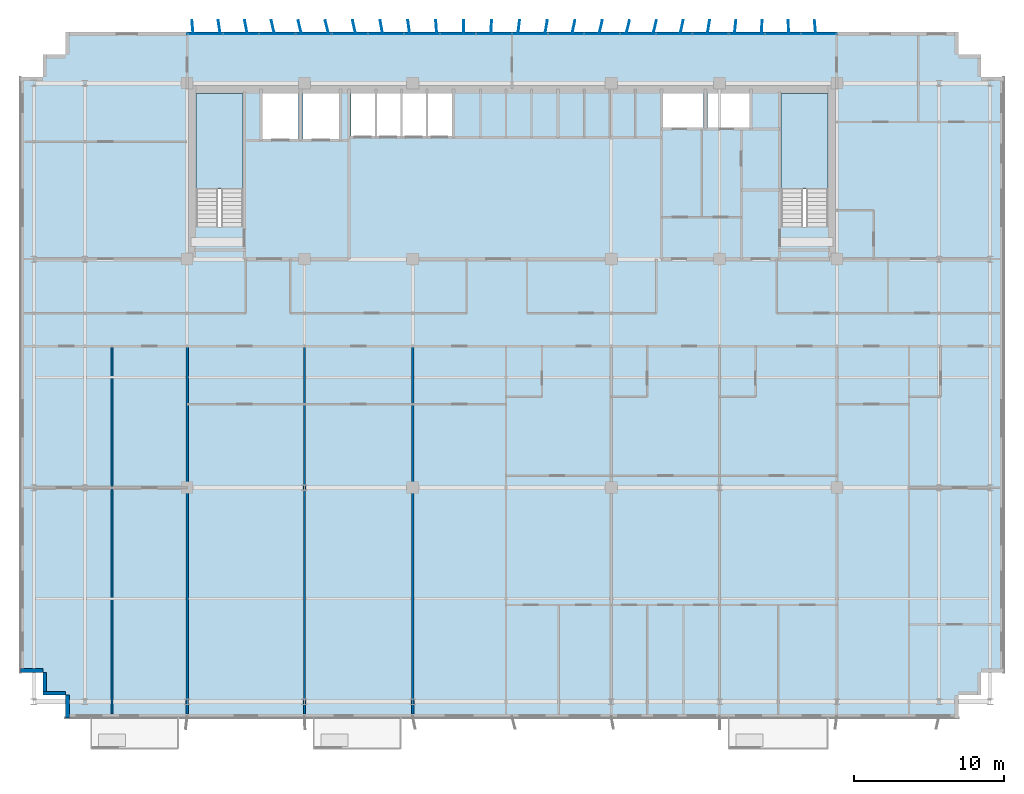
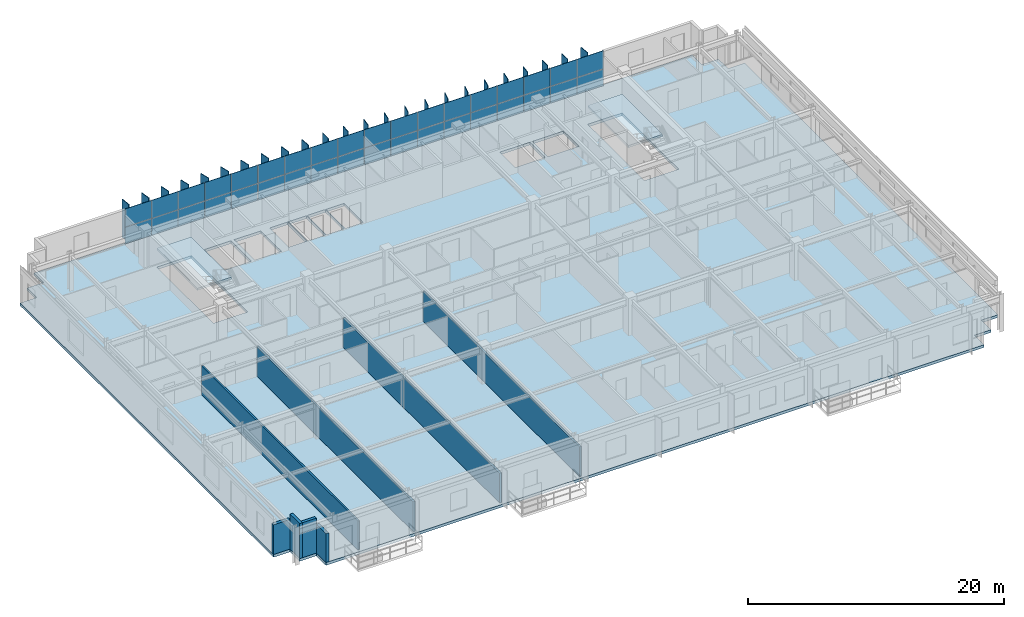
# One storey, part 13 of 22: 60 plates, 8 walls, 3 slabs, 3 elements without a shape of their own.
"""IFC4 building model written with IfcOpenShell, lengths in metres."""

from ifc_helpers import new_model, si_unit, direction, frame, frame_2d, origin, origin_2d, place, context, subcontext, project, spatial, polyline, rectangle, outline, extrude, source, transform, mapped, material, layer, layer_set, type_object, element, aggregate, save


model = new_model("IFC4")

# Units and contexts
model_context = context("Model", 3, precision=1e-05, world=origin(), true_north=direction((0.0, 1.0)))
body_context = subcontext(model_context, "Body", "Model", "MODEL_VIEW")
ifc_project = project(units=[si_unit("LENGTHUNIT", "METRE"), si_unit("AREAUNIT", "SQUARE_METRE"), si_unit("VOLUMEUNIT", "CUBIC_METRE"), si_unit("PLANEANGLEUNIT", "RADIAN"), si_unit("MASSUNIT", "GRAM", prefix="KILO")], contexts=[model_context])

# Site, building, storey
site_placement = place(None, origin())
site = spatial("IfcSite", under=ifc_project, at=site_placement, CompositionType="ELEMENT")
building_placement = place(site_placement, origin())
building = spatial("IfcBuilding", under=site, at=building_placement, Name="Trelvane Seafront Commons", CompositionType="ELEMENT")
storey_placement = place(building_placement, frame((0.0, 0.0, 85.300048828125)))
storey = spatial("IfcBuildingStorey", under=building, at=storey_placement, Name="L21", CompositionType="ELEMENT", Elevation=85.300048828125)

# Stair, slab
ifc_material_1 = material(Name="Concrete C40/50", Category="concrete")
stair_type_1 = type_object("IfcStairType", Name="ARCH-STR-ST-1-R20-180", PredefinedType="HALF_TURN_STAIR", material=ifc_material_1)
stair_1_placement = place(storey_placement, origin())
stair_1 = element("IfcStair", 1, at=stair_1_placement, inside=storey, type_object=stair_type_1, Name="L21 West Protected Firefighting Exit Stair ST-1", PredefinedType="HALF_TURN_STAIR")
ifc_layer_1 = layer(ifc_material_1, 0.199951171875, Name="ARCH-LND-200")
ifc_layer_set_1 = layer_set([ifc_layer_1], Name="Concrete C40/50")
slab_type_1 = type_object("IfcSlabType", Name="ARCH-LND-200", PredefinedType="LANDING", material=ifc_layer_set_1)
slab_1_placement = place(storey_placement, frame((0.0, 0.0, 1.599853515625)))
slab_1 = element("IfcSlab", 2, at=slab_1_placement, type_object=slab_type_1, Name="ST-1 landing 1", PredefinedType="LANDING", context=body_context, shape_type="SweptSolid", body=[
    extrude(outline(polyline([(19.300048828125, 38.070068359375), (19.300048828125, 44.39990234375), (16.199951171875, 44.39990234375), (16.199951171875, 38.070068359375), (19.300048828125, 38.070068359375)])), origin(), (0.0, 0.0, 1.0), 0.2001953125),
])
aggregate(stair_1, [slab_1])

stair_type_2 = type_object("IfcStairType", Name="ARCH-STR-ST-2-R20-180", PredefinedType="HALF_TURN_STAIR", material=ifc_material_1)
stair_2_placement = place(storey_placement, origin())
stair_2 = element("IfcStair", 3, at=stair_2_placement, inside=storey, type_object=stair_type_2, Name="L21 East Protected Firefighting Exit Stair ST-2", PredefinedType="HALF_TURN_STAIR")
slab_2_placement = place(storey_placement, frame((0.0, 0.0, 1.599853515625)))
slab_2 = element("IfcSlab", 4, at=slab_2_placement, type_object=slab_type_1, Name="ST-2 landing 1", PredefinedType="LANDING", context=body_context, shape_type="SweptSolid", body=[
    extrude(outline(polyline([(58.199951171875, 38.070068359375), (58.199951171875, 44.39990234375), (55.10009765625, 44.39990234375), (55.10009765625, 38.070068359375), (58.199951171875, 38.070068359375)])), origin(), (0.0, 0.0, 1.0), 0.2001953125),
])
aggregate(stair_2, [slab_2])

# Slab
ifc_material_2 = material(Name="Concrete C50/60", Category="concrete")
ifc_layer_2 = layer(ifc_material_2, 0.260009765625, Name="STR-SLB-Z1-260")
ifc_layer_set_2 = layer_set([ifc_layer_2], Name="Concrete C50/60")
slab_type_2 = type_object("IfcSlabType", Name="STR-SLB-Z1-260", PredefinedType="FLOOR", material=ifc_layer_set_2)
slab_3_placement = place(storey_placement, frame((0.0, 0.0, -0.260009765625)))
element("IfcSlab", 5, at=slab_3_placement, inside=storey, type_object=slab_type_2, Name="L21 Structural Floor Slab", PredefinedType="FLOOR", context=body_context, shape_type="SweptSolid", body=[
    extrude(outline(polyline([(7.5, 2.89990234375), (66.89990234375, 2.89990234375), (66.89990234375, 4.39990234375), (68.39990234375, 4.39990234375), (68.39990234375, 5.89990234375), (69.89990234375, 5.89990234375), (69.89990234375, 45.5), (68.39990234375, 45.5), (68.39990234375, 47.0), (66.89990234375, 47.0), (66.89990234375, 48.5), (7.5, 48.5), (7.5, 47.0), (6.0, 47.0), (6.0, 45.5), (4.5, 45.5), (4.5, 5.89990234375), (6.0, 5.89990234375), (6.0, 4.39990234375), (7.5, 4.39990234375), (7.5, 2.89990234375)]), holes=[polyline([(19.300048828125, 35.550048828125), (16.199951171875, 35.550048828125), (16.199951171875, 44.39990234375), (19.300048828125, 44.39990234375), (19.300048828125, 35.550048828125)]), polyline([(58.199951171875, 35.550048828125), (55.10009765625, 35.550048828125), (55.10009765625, 44.39990234375), (58.199951171875, 44.39990234375), (58.199951171875, 35.550048828125)]), polyline([(23.0, 41.39990234375), (20.60009765625, 41.39990234375), (20.60009765625, 44.60009765625), (23.0, 44.60009765625), (23.0, 41.39990234375)]), polyline([(23.300048828125, 41.39990234375), (23.300048828125, 44.60009765625), (25.699951171875, 44.60009765625), (25.699951171875, 41.39990234375), (23.300048828125, 41.39990234375)]), polyline([(26.5, 41.60009765625), (26.5, 44.60009765625), (28.1201171875, 44.60009765625), (28.1201171875, 41.60009765625), (26.5, 41.60009765625)]), polyline([(29.820068359375, 41.60009765625), (28.199951171875, 41.60009765625), (28.199951171875, 44.60009765625), (29.820068359375, 44.60009765625), (29.820068359375, 41.60009765625)]), polyline([(31.52001953125, 41.60009765625), (29.89990234375, 41.60009765625), (29.89990234375, 44.60009765625), (31.52001953125, 44.60009765625), (31.52001953125, 41.60009765625)]), polyline([(33.219970703125, 41.60009765625), (31.60009765625, 41.60009765625), (31.60009765625, 44.60009765625), (33.219970703125, 44.60009765625), (33.219970703125, 41.60009765625)]), polyline([(47.25, 42.14990234375), (47.25, 44.550048828125), (49.949951171875, 44.550048828125), (49.949951171875, 42.14990234375), (47.25, 42.14990234375)]), polyline([(50.199951171875, 42.14990234375), (50.199951171875, 44.550048828125), (53.0, 44.550048828125), (53.0, 42.14990234375), (50.199951171875, 42.14990234375)])]), origin(), (0.0, 0.0, 1.0), 0.260009765625),
])

# Plates
ifc_material_3 = material(Name="Anodised pale-silver aluminium", Category="aluminium")
ifc_layer_3 = layer(ifc_material_3, 0.06005859375, Name="ARCH-PLATE-FIN900")
ifc_layer_set_3 = layer_set([ifc_layer_3], Name="Anodised pale-silver aluminium")
plate_type_1 = type_object("IfcPlateType", Name="ARCH-PLATE-FIN900", PredefinedType="USERDEFINED", material=ifc_layer_set_3)
shared_shape_1 = source(origin(), body_context, "Body", "SweptSolid", [
    extrude(rectangle(XDim=0.89990234375, YDim=0.06005859375, at=origin_2d()), origin(), (0.0, 0.0, 1.0), 3.639892578125),
])
for number, where, z_axis, x_axis, name in (
    (6, (15.95947265625, 48.84814453125, -0.02001953125), (0.0, 0.0, 1.0), (-0.090114600403, 0.995931402655, 0.0), "FIN-L21-00487"),
    (7, (17.733642578125, 48.84521484375, -0.02001953125), (0.0, 0.0, 1.0), (-0.147671317024, 0.989036491808, 0.0), "FIN-L21-00488"),
    (8, (19.5126953125, 48.84130859375, -0.02001953125), (0.0, 0.0, 1.0), (-0.193893633656, 0.981022557757, 0.0), "FIN-L21-00489"),
    (9, (21.298583984375, 48.83837890625, -0.02001953125), (0.0, 0.0, 1.0), (-0.225558123616, 0.974229712579, 0.0), "FIN-L21-00490"),
    (10, (23.091796875, 48.836669921875, -0.02001953125), (0.0, 0.0, 1.0), (-0.240783707201, 0.970578799659, 0.0), "FIN-L21-00491"),
    (11, (24.892578125, 48.8369140625, -0.02001953125), (0.0, 0.0, 1.0), (-0.238324973349, 0.97118546482, 0.0), "FIN-L21-00492"),
    (12, (26.70166015625, 48.839111328125, -0.02001953125), (0.0, 0.0, 1.0), (-0.218565638374, 0.97582224904, 0.0), "FIN-L21-00493"),
    (13, (28.517822265625, 48.84228515625, -0.02001953125), (0.0, 0.0, 1.0), (-0.182657670156, 0.983176573934, 0.0), "FIN-L21-00494"),
    (14, (30.340087890625, 48.845947265625, -0.02001953125), (0.0, 0.0, 1.0), (-0.133000251857, 0.991116003809, 0.0), "FIN-L21-00495"),
    (15, (32.1669921875, 48.848876953125, -0.02001953125), (0.0, 0.0, 1.0), (-0.073220790695, 0.99731575532, 0.0), "FIN-L21-00496"),
    (16, (33.99658203125, 48.85009765625, -0.02001953125), (0.0, 0.0, 1.0), (-0.007667156283, 0.999970606925, 0.0), "FIN-L21-00497"),
    (17, (35.826416015625, 48.84912109375, -0.02001953125), (0.0, 0.0, 1.0), (0.058442191904, 0.998290794411, 0.0), "FIN-L21-00498"),
    (18, (37.654052734375, 48.8466796875, -0.02001953125), (0.0, 0.0, 1.0), (0.120109115773, 0.992760696396, 0.0), "FIN-L21-00499"),
    (19, (39.4775390625, 48.84326171875, -0.02001953125), (0.0, 0.0, 1.0), (0.17244831709, 0.985018567304, 0.0), "FIN-L21-00500"),
    (20, (41.29541015625, 48.83984375, -0.02001953125), (0.0, 0.0, 1.0), (0.211667671868, 0.977341699042, 0.0), "FIN-L21-00501"),
    (21, (43.10595703125, 48.83740234375, -0.02001953125), (0.0, 0.0, 1.0), (0.23533888975, 0.971913374211, 0.0), "FIN-L21-00502"),
    (22, (44.90869140625, 48.836669921875, -0.02001953125), (0.0, 0.0, 1.0), (0.241777946669, 0.970331605434, 0.0), "FIN-L21-00503"),
    (23, (46.70361328125, 48.837890625, -0.02001953125), (0.0, 0.0, 1.0), (0.230569450726, 0.973055871156, 0.0), "FIN-L21-00504"),
    (24, (48.4912109375, 48.840576171875, -0.02001953125), (0.0, 0.0, 1.0), (0.202565111531, 0.979268796394, 0.0), "FIN-L21-00505"),
    (25, (50.271728515625, 48.84423828125, -0.02001953125), (0.0, 0.0, 1.0), (0.159441838033, 0.987207323861, 0.0), "FIN-L21-00506"),
    (26, (52.046875, 48.847412109375, -0.02001953125), (0.0, 0.0, 1.0), (0.104111869752, 0.994565592898, 0.0), "FIN-L21-00507"),
    (27, (53.818359375, 48.849609375, -0.02001953125), (0.0, 0.0, 1.0), (0.040890387488, 0.999163638355, 0.0), "FIN-L21-00508"),
    (28, (55.58837890625, 48.849853515625, -0.02001953125), (0.0, 0.0, 1.0), (-0.025667483428, 0.999670535874, 0.0), "FIN-L21-00509"),
    (29, (57.359375, 48.84814453125, -0.02001953125), (0.0, 0.0, 1.0), (-0.090114600403, 0.995931402655, 0.0), "FIN-L21-00510"),
):
    element("IfcPlate", number, at=place(storey_placement, frame(where, z_axis=z_axis, x_axis=x_axis)), inside=storey, type_object=plate_type_1, Name=name, ObjectType="FIN", PredefinedType="USERDEFINED", context=body_context, shape_type="MappedRepresentation", body=[
        mapped(shared_shape_1, transform((0.0, 0.0, 0.0), x_axis=(1.0, 0.0, 0.0), y_axis=(0.0, 1.0, 0.0), z_axis=(0.0, 0.0, 1.0), scale=1.0)),
    ])

# Curtain wall, plates
curtain_wall_type = type_object("IfcCurtainWallType", Name="ARCH-CW4-SKYLOBBY", PredefinedType="NOTDEFINED", material=ifc_material_3)
curtain_wall_placement = place(storey_placement, origin())
curtain_wall = element("IfcCurtainWall", 30, at=curtain_wall_placement, inside=storey, type_object=curtain_wall_type, Name="CW-L21-0046", PredefinedType="NOTDEFINED")
ifc_material_4 = material(Name="Low-E coastal double glazing", Category="glass")
ifc_layer_4 = layer(ifc_material_4, 0.033935546875, Name="ARCH-CW-GLAZ-34")
ifc_layer_set_4 = layer_set([ifc_layer_4], Name="Low-E coastal double glazing")
plate_type_2 = type_object("IfcPlateType", Name="ARCH-CW-GLAZ-34", PredefinedType="CURTAIN_PANEL", material=ifc_layer_set_4)
shared_shape_2 = source(origin(), body_context, "Body", "SweptSolid", [
    extrude(rectangle(XDim=2.3759765625, YDim=0.0400390625, at=origin_2d()), origin(), (0.0, 0.0, 1.0), 1.5849609375),
])
plate_1_placement = place(storey_placement, frame((16.800048828125, 48.3701171875, 0.0), z_axis=(0.0, 0.0, 1.0), x_axis=(1.0, 0.0, 0.0)))
plate_1 = element("IfcPlate", 31, at=plate_1_placement, type_object=plate_type_2, Name="CW-L21-0046-P00-1", PredefinedType="CURTAIN_PANEL", context=body_context, shape_type="MappedRepresentation", body=[
    mapped(shared_shape_2, transform((0.0, 0.0, 0.0), x_axis=(1.0, 0.0, 0.0), y_axis=(0.0, 1.0, 0.0), z_axis=(0.0, 0.0, 1.0), scale=1.0)),
])
plate_2_placement = place(storey_placement, frame((19.199951171875, 48.3701171875, 0.0), z_axis=(0.0, 0.0, 1.0), x_axis=(1.0, 0.0, 0.0)))
plate_2 = element("IfcPlate", 32, at=plate_2_placement, type_object=plate_type_2, Name="CW-L21-0046-P01-1", PredefinedType="CURTAIN_PANEL", context=body_context, shape_type="MappedRepresentation", body=[
    mapped(shared_shape_2, transform((0.0, 0.0, 0.0), x_axis=(1.0, 0.0, 0.0), y_axis=(0.0, 1.0, 0.0), z_axis=(0.0, 0.0, 1.0), scale=1.0)),
])
plate_3_placement = place(storey_placement, frame((21.60009765625, 48.3701171875, 0.0), z_axis=(0.0, 0.0, 1.0), x_axis=(1.0, 0.0, 0.0)))
plate_3 = element("IfcPlate", 33, at=plate_3_placement, type_object=plate_type_2, Name="CW-L21-0046-P02-1", PredefinedType="CURTAIN_PANEL", context=body_context, shape_type="MappedRepresentation", body=[
    mapped(shared_shape_2, transform((0.0, 0.0, 0.0), x_axis=(1.0, 0.0, 0.0), y_axis=(0.0, 1.0, 0.0), z_axis=(0.0, 0.0, 1.0), scale=1.0)),
])
plate_4_placement = place(storey_placement, frame((24.0, 48.3701171875, 0.0), z_axis=(0.0, 0.0, 1.0), x_axis=(1.0, 0.0, 0.0)))
plate_4 = element("IfcPlate", 34, at=plate_4_placement, type_object=plate_type_2, Name="CW-L21-0046-P03-1", PredefinedType="CURTAIN_PANEL", context=body_context, shape_type="MappedRepresentation", body=[
    mapped(shared_shape_2, transform((0.0, 0.0, 0.0), x_axis=(1.0, 0.0, 0.0), y_axis=(0.0, 1.0, 0.0), z_axis=(0.0, 0.0, 1.0), scale=1.0)),
])
plate_5_placement = place(storey_placement, frame((26.39990234375, 48.3701171875, 0.0), z_axis=(0.0, 0.0, 1.0), x_axis=(1.0, 0.0, 0.0)))
plate_5 = element("IfcPlate", 35, at=plate_5_placement, type_object=plate_type_2, Name="CW-L21-0046-P04-1", PredefinedType="CURTAIN_PANEL", context=body_context, shape_type="MappedRepresentation", body=[
    mapped(shared_shape_2, transform((0.0, 0.0, 0.0), x_axis=(1.0, 0.0, 0.0), y_axis=(0.0, 1.0, 0.0), z_axis=(0.0, 0.0, 1.0), scale=1.0)),
])
plate_6_placement = place(storey_placement, frame((28.800048828125, 48.3701171875, 0.0), z_axis=(0.0, 0.0, 1.0), x_axis=(1.0, 0.0, 0.0)))
plate_6 = element("IfcPlate", 36, at=plate_6_placement, type_object=plate_type_2, Name="CW-L21-0046-P05-1", PredefinedType="CURTAIN_PANEL", context=body_context, shape_type="MappedRepresentation", body=[
    mapped(shared_shape_2, transform((0.0, 0.0, 0.0), x_axis=(1.0, 0.0, 0.0), y_axis=(0.0, 1.0, 0.0), z_axis=(0.0, 0.0, 1.0), scale=1.0)),
])
plate_7_placement = place(storey_placement, frame((31.199951171875, 48.3701171875, 0.0), z_axis=(0.0, 0.0, 1.0), x_axis=(1.0, 0.0, 0.0)))
plate_7 = element("IfcPlate", 37, at=plate_7_placement, type_object=plate_type_2, Name="CW-L21-0046-P06-1", PredefinedType="CURTAIN_PANEL", context=body_context, shape_type="MappedRepresentation", body=[
    mapped(shared_shape_2, transform((0.0, 0.0, 0.0), x_axis=(1.0, 0.0, 0.0), y_axis=(0.0, 1.0, 0.0), z_axis=(0.0, 0.0, 1.0), scale=1.0)),
])
plate_8_placement = place(storey_placement, frame((33.60009765625, 48.3701171875, 0.0), z_axis=(0.0, 0.0, 1.0), x_axis=(1.0, 0.0, 0.0)))
plate_8 = element("IfcPlate", 38, at=plate_8_placement, type_object=plate_type_2, Name="CW-L21-0046-P07-1", PredefinedType="CURTAIN_PANEL", context=body_context, shape_type="MappedRepresentation", body=[
    mapped(shared_shape_2, transform((0.0, 0.0, 0.0), x_axis=(1.0, 0.0, 0.0), y_axis=(0.0, 1.0, 0.0), z_axis=(0.0, 0.0, 1.0), scale=1.0)),
])
plate_9_placement = place(storey_placement, frame((36.0, 48.3701171875, 0.0), z_axis=(0.0, 0.0, 1.0), x_axis=(1.0, 0.0, 0.0)))
plate_9 = element("IfcPlate", 39, at=plate_9_placement, type_object=plate_type_2, Name="CW-L21-0046-P08-1", PredefinedType="CURTAIN_PANEL", context=body_context, shape_type="MappedRepresentation", body=[
    mapped(shared_shape_2, transform((0.0, 0.0, 0.0), x_axis=(1.0, 0.0, 0.0), y_axis=(0.0, 1.0, 0.0), z_axis=(0.0, 0.0, 1.0), scale=1.0)),
])
plate_10_placement = place(storey_placement, frame((38.39990234375, 48.3701171875, 0.0), z_axis=(0.0, 0.0, 1.0), x_axis=(1.0, 0.0, 0.0)))
plate_10 = element("IfcPlate", 40, at=plate_10_placement, type_object=plate_type_2, Name="CW-L21-0046-P09-1", PredefinedType="CURTAIN_PANEL", context=body_context, shape_type="MappedRepresentation", body=[
    mapped(shared_shape_2, transform((0.0, 0.0, 0.0), x_axis=(1.0, 0.0, 0.0), y_axis=(0.0, 1.0, 0.0), z_axis=(0.0, 0.0, 1.0), scale=1.0)),
])
plate_11_placement = place(storey_placement, frame((40.800048828125, 48.3701171875, 0.0), z_axis=(0.0, 0.0, 1.0), x_axis=(1.0, 0.0, 0.0)))
plate_11 = element("IfcPlate", 41, at=plate_11_placement, type_object=plate_type_2, Name="CW-L21-0046-P10-1", PredefinedType="CURTAIN_PANEL", context=body_context, shape_type="MappedRepresentation", body=[
    mapped(shared_shape_2, transform((0.0, 0.0, 0.0), x_axis=(1.0, 0.0, 0.0), y_axis=(0.0, 1.0, 0.0), z_axis=(0.0, 0.0, 1.0), scale=1.0)),
])
plate_12_placement = place(storey_placement, frame((43.199951171875, 48.3701171875, 0.0), z_axis=(0.0, 0.0, 1.0), x_axis=(1.0, 0.0, 0.0)))
plate_12 = element("IfcPlate", 42, at=plate_12_placement, type_object=plate_type_2, Name="CW-L21-0046-P11-1", PredefinedType="CURTAIN_PANEL", context=body_context, shape_type="MappedRepresentation", body=[
    mapped(shared_shape_2, transform((0.0, 0.0, 0.0), x_axis=(1.0, 0.0, 0.0), y_axis=(0.0, 1.0, 0.0), z_axis=(0.0, 0.0, 1.0), scale=1.0)),
])
plate_13_placement = place(storey_placement, frame((45.60009765625, 48.3701171875, 0.0), z_axis=(0.0, 0.0, 1.0), x_axis=(1.0, 0.0, 0.0)))
plate_13 = element("IfcPlate", 43, at=plate_13_placement, type_object=plate_type_2, Name="CW-L21-0046-P12-1", PredefinedType="CURTAIN_PANEL", context=body_context, shape_type="MappedRepresentation", body=[
    mapped(shared_shape_2, transform((0.0, 0.0, 0.0), x_axis=(1.0, 0.0, 0.0), y_axis=(0.0, 1.0, 0.0), z_axis=(0.0, 0.0, 1.0), scale=1.0)),
])
plate_14_placement = place(storey_placement, frame((48.0, 48.3701171875, 0.0), z_axis=(0.0, 0.0, 1.0), x_axis=(1.0, 0.0, 0.0)))
plate_14 = element("IfcPlate", 44, at=plate_14_placement, type_object=plate_type_2, Name="CW-L21-0046-P13-1", PredefinedType="CURTAIN_PANEL", context=body_context, shape_type="MappedRepresentation", body=[
    mapped(shared_shape_2, transform((0.0, 0.0, 0.0), x_axis=(1.0, 0.0, 0.0), y_axis=(0.0, 1.0, 0.0), z_axis=(0.0, 0.0, 1.0), scale=1.0)),
])
plate_15_placement = place(storey_placement, frame((50.39990234375, 48.3701171875, 0.0), z_axis=(0.0, 0.0, 1.0), x_axis=(1.0, 0.0, 0.0)))
plate_15 = element("IfcPlate", 45, at=plate_15_placement, type_object=plate_type_2, Name="CW-L21-0046-P14-1", PredefinedType="CURTAIN_PANEL", context=body_context, shape_type="MappedRepresentation", body=[
    mapped(shared_shape_2, transform((0.0, 0.0, 0.0), x_axis=(1.0, 0.0, 0.0), y_axis=(0.0, 1.0, 0.0), z_axis=(0.0, 0.0, 1.0), scale=1.0)),
])
plate_16_placement = place(storey_placement, frame((52.800048828125, 48.3701171875, 0.0), z_axis=(0.0, 0.0, 1.0), x_axis=(1.0, 0.0, 0.0)))
plate_16 = element("IfcPlate", 46, at=plate_16_placement, type_object=plate_type_2, Name="CW-L21-0046-P15-1", PredefinedType="CURTAIN_PANEL", context=body_context, shape_type="MappedRepresentation", body=[
    mapped(shared_shape_2, transform((0.0, 0.0, 0.0), x_axis=(1.0, 0.0, 0.0), y_axis=(0.0, 1.0, 0.0), z_axis=(0.0, 0.0, 1.0), scale=1.0)),
])
plate_17_placement = place(storey_placement, frame((55.199951171875, 48.3701171875, 0.0), z_axis=(0.0, 0.0, 1.0), x_axis=(1.0, 0.0, 0.0)))
plate_17 = element("IfcPlate", 47, at=plate_17_placement, type_object=plate_type_2, Name="CW-L21-0046-P16-1", PredefinedType="CURTAIN_PANEL", context=body_context, shape_type="MappedRepresentation", body=[
    mapped(shared_shape_2, transform((0.0, 0.0, 0.0), x_axis=(1.0, 0.0, 0.0), y_axis=(0.0, 1.0, 0.0), z_axis=(0.0, 0.0, 1.0), scale=1.0)),
])
plate_18_placement = place(storey_placement, frame((57.60009765625, 48.3701171875, 0.0), z_axis=(0.0, 0.0, 1.0), x_axis=(1.0, 0.0, 0.0)))
plate_18 = element("IfcPlate", 48, at=plate_18_placement, type_object=plate_type_2, Name="CW-L21-0046-P17-1", PredefinedType="CURTAIN_PANEL", context=body_context, shape_type="MappedRepresentation", body=[
    mapped(shared_shape_2, transform((0.0, 0.0, 0.0), x_axis=(1.0, 0.0, 0.0), y_axis=(0.0, 1.0, 0.0), z_axis=(0.0, 0.0, 1.0), scale=1.0)),
])
shared_shape_3 = source(origin(), body_context, "Body", "SweptSolid", [
    extrude(rectangle(XDim=2.3759765625, YDim=0.0400390625, at=origin_2d()), origin(), (0.0, 0.0, 1.0), 1.718994140625),
])
plate_19_placement = place(storey_placement, frame((16.800048828125, 48.3701171875, 1.62109375), z_axis=(0.0, 0.0, 1.0), x_axis=(1.0, 0.0, 0.0)))
plate_19 = element("IfcPlate", 49, at=plate_19_placement, type_object=plate_type_2, Name="CW-L21-0046-P00-2", PredefinedType="CURTAIN_PANEL", context=body_context, shape_type="MappedRepresentation", body=[
    mapped(shared_shape_3, transform((0.0, 0.0, 0.0), x_axis=(1.0, 0.0, 0.0), y_axis=(0.0, 1.0, 0.0), z_axis=(0.0, 0.0, 1.0), scale=1.0)),
])
plate_20_placement = place(storey_placement, frame((19.199951171875, 48.3701171875, 1.62109375), z_axis=(0.0, 0.0, 1.0), x_axis=(1.0, 0.0, 0.0)))
plate_20 = element("IfcPlate", 50, at=plate_20_placement, type_object=plate_type_2, Name="CW-L21-0046-P01-2", PredefinedType="CURTAIN_PANEL", context=body_context, shape_type="MappedRepresentation", body=[
    mapped(shared_shape_3, transform((0.0, 0.0, 0.0), x_axis=(1.0, 0.0, 0.0), y_axis=(0.0, 1.0, 0.0), z_axis=(0.0, 0.0, 1.0), scale=1.0)),
])
plate_21_placement = place(storey_placement, frame((21.60009765625, 48.3701171875, 1.62109375), z_axis=(0.0, 0.0, 1.0), x_axis=(1.0, 0.0, 0.0)))
plate_21 = element("IfcPlate", 51, at=plate_21_placement, type_object=plate_type_2, Name="CW-L21-0046-P02-2", PredefinedType="CURTAIN_PANEL", context=body_context, shape_type="MappedRepresentation", body=[
    mapped(shared_shape_3, transform((0.0, 0.0, 0.0), x_axis=(1.0, 0.0, 0.0), y_axis=(0.0, 1.0, 0.0), z_axis=(0.0, 0.0, 1.0), scale=1.0)),
])
plate_22_placement = place(storey_placement, frame((24.0, 48.3701171875, 1.62109375), z_axis=(0.0, 0.0, 1.0), x_axis=(1.0, 0.0, 0.0)))
plate_22 = element("IfcPlate", 52, at=plate_22_placement, type_object=plate_type_2, Name="CW-L21-0046-P03-2", PredefinedType="CURTAIN_PANEL", context=body_context, shape_type="MappedRepresentation", body=[
    mapped(shared_shape_3, transform((0.0, 0.0, 0.0), x_axis=(1.0, 0.0, 0.0), y_axis=(0.0, 1.0, 0.0), z_axis=(0.0, 0.0, 1.0), scale=1.0)),
])
plate_23_placement = place(storey_placement, frame((26.39990234375, 48.3701171875, 1.62109375), z_axis=(0.0, 0.0, 1.0), x_axis=(1.0, 0.0, 0.0)))
plate_23 = element("IfcPlate", 53, at=plate_23_placement, type_object=plate_type_2, Name="CW-L21-0046-P04-2", PredefinedType="CURTAIN_PANEL", context=body_context, shape_type="MappedRepresentation", body=[
    mapped(shared_shape_3, transform((0.0, 0.0, 0.0), x_axis=(1.0, 0.0, 0.0), y_axis=(0.0, 1.0, 0.0), z_axis=(0.0, 0.0, 1.0), scale=1.0)),
])
plate_24_placement = place(storey_placement, frame((28.800048828125, 48.3701171875, 1.62109375), z_axis=(0.0, 0.0, 1.0), x_axis=(1.0, 0.0, 0.0)))
plate_24 = element("IfcPlate", 54, at=plate_24_placement, type_object=plate_type_2, Name="CW-L21-0046-P05-2", PredefinedType="CURTAIN_PANEL", context=body_context, shape_type="MappedRepresentation", body=[
    mapped(shared_shape_3, transform((0.0, 0.0, 0.0), x_axis=(1.0, 0.0, 0.0), y_axis=(0.0, 1.0, 0.0), z_axis=(0.0, 0.0, 1.0), scale=1.0)),
])
plate_25_placement = place(storey_placement, frame((31.199951171875, 48.3701171875, 1.62109375), z_axis=(0.0, 0.0, 1.0), x_axis=(1.0, 0.0, 0.0)))
plate_25 = element("IfcPlate", 55, at=plate_25_placement, type_object=plate_type_2, Name="CW-L21-0046-P06-2", PredefinedType="CURTAIN_PANEL", context=body_context, shape_type="MappedRepresentation", body=[
    mapped(shared_shape_3, transform((0.0, 0.0, 0.0), x_axis=(1.0, 0.0, 0.0), y_axis=(0.0, 1.0, 0.0), z_axis=(0.0, 0.0, 1.0), scale=1.0)),
])
plate_26_placement = place(storey_placement, frame((33.60009765625, 48.3701171875, 1.62109375), z_axis=(0.0, 0.0, 1.0), x_axis=(1.0, 0.0, 0.0)))
plate_26 = element("IfcPlate", 56, at=plate_26_placement, type_object=plate_type_2, Name="CW-L21-0046-P07-2", PredefinedType="CURTAIN_PANEL", context=body_context, shape_type="MappedRepresentation", body=[
    mapped(shared_shape_3, transform((0.0, 0.0, 0.0), x_axis=(1.0, 0.0, 0.0), y_axis=(0.0, 1.0, 0.0), z_axis=(0.0, 0.0, 1.0), scale=1.0)),
])
plate_27_placement = place(storey_placement, frame((36.0, 48.3701171875, 1.62109375), z_axis=(0.0, 0.0, 1.0), x_axis=(1.0, 0.0, 0.0)))
plate_27 = element("IfcPlate", 57, at=plate_27_placement, type_object=plate_type_2, Name="CW-L21-0046-P08-2", PredefinedType="CURTAIN_PANEL", context=body_context, shape_type="MappedRepresentation", body=[
    mapped(shared_shape_3, transform((0.0, 0.0, 0.0), x_axis=(1.0, 0.0, 0.0), y_axis=(0.0, 1.0, 0.0), z_axis=(0.0, 0.0, 1.0), scale=1.0)),
])
plate_28_placement = place(storey_placement, frame((38.39990234375, 48.3701171875, 1.62109375), z_axis=(0.0, 0.0, 1.0), x_axis=(1.0, 0.0, 0.0)))
plate_28 = element("IfcPlate", 58, at=plate_28_placement, type_object=plate_type_2, Name="CW-L21-0046-P09-2", PredefinedType="CURTAIN_PANEL", context=body_context, shape_type="MappedRepresentation", body=[
    mapped(shared_shape_3, transform((0.0, 0.0, 0.0), x_axis=(1.0, 0.0, 0.0), y_axis=(0.0, 1.0, 0.0), z_axis=(0.0, 0.0, 1.0), scale=1.0)),
])
plate_29_placement = place(storey_placement, frame((40.800048828125, 48.3701171875, 1.62109375), z_axis=(0.0, 0.0, 1.0), x_axis=(1.0, 0.0, 0.0)))
plate_29 = element("IfcPlate", 59, at=plate_29_placement, type_object=plate_type_2, Name="CW-L21-0046-P10-2", PredefinedType="CURTAIN_PANEL", context=body_context, shape_type="MappedRepresentation", body=[
    mapped(shared_shape_3, transform((0.0, 0.0, 0.0), x_axis=(1.0, 0.0, 0.0), y_axis=(0.0, 1.0, 0.0), z_axis=(0.0, 0.0, 1.0), scale=1.0)),
])
plate_30_placement = place(storey_placement, frame((43.199951171875, 48.3701171875, 1.62109375), z_axis=(0.0, 0.0, 1.0), x_axis=(1.0, 0.0, 0.0)))
plate_30 = element("IfcPlate", 60, at=plate_30_placement, type_object=plate_type_2, Name="CW-L21-0046-P11-2", PredefinedType="CURTAIN_PANEL", context=body_context, shape_type="MappedRepresentation", body=[
    mapped(shared_shape_3, transform((0.0, 0.0, 0.0), x_axis=(1.0, 0.0, 0.0), y_axis=(0.0, 1.0, 0.0), z_axis=(0.0, 0.0, 1.0), scale=1.0)),
])
plate_31_placement = place(storey_placement, frame((45.60009765625, 48.3701171875, 1.62109375), z_axis=(0.0, 0.0, 1.0), x_axis=(1.0, 0.0, 0.0)))
plate_31 = element("IfcPlate", 61, at=plate_31_placement, type_object=plate_type_2, Name="CW-L21-0046-P12-2", PredefinedType="CURTAIN_PANEL", context=body_context, shape_type="MappedRepresentation", body=[
    mapped(shared_shape_3, transform((0.0, 0.0, 0.0), x_axis=(1.0, 0.0, 0.0), y_axis=(0.0, 1.0, 0.0), z_axis=(0.0, 0.0, 1.0), scale=1.0)),
])
plate_32_placement = place(storey_placement, frame((48.0, 48.3701171875, 1.62109375), z_axis=(0.0, 0.0, 1.0), x_axis=(1.0, 0.0, 0.0)))
plate_32 = element("IfcPlate", 62, at=plate_32_placement, type_object=plate_type_2, Name="CW-L21-0046-P13-2", PredefinedType="CURTAIN_PANEL", context=body_context, shape_type="MappedRepresentation", body=[
    mapped(shared_shape_3, transform((0.0, 0.0, 0.0), x_axis=(1.0, 0.0, 0.0), y_axis=(0.0, 1.0, 0.0), z_axis=(0.0, 0.0, 1.0), scale=1.0)),
])
plate_33_placement = place(storey_placement, frame((50.39990234375, 48.3701171875, 1.62109375), z_axis=(0.0, 0.0, 1.0), x_axis=(1.0, 0.0, 0.0)))
plate_33 = element("IfcPlate", 63, at=plate_33_placement, type_object=plate_type_2, Name="CW-L21-0046-P14-2", PredefinedType="CURTAIN_PANEL", context=body_context, shape_type="MappedRepresentation", body=[
    mapped(shared_shape_3, transform((0.0, 0.0, 0.0), x_axis=(1.0, 0.0, 0.0), y_axis=(0.0, 1.0, 0.0), z_axis=(0.0, 0.0, 1.0), scale=1.0)),
])
plate_34_placement = place(storey_placement, frame((52.800048828125, 48.3701171875, 1.62109375), z_axis=(0.0, 0.0, 1.0), x_axis=(1.0, 0.0, 0.0)))
plate_34 = element("IfcPlate", 64, at=plate_34_placement, type_object=plate_type_2, Name="CW-L21-0046-P15-2", PredefinedType="CURTAIN_PANEL", context=body_context, shape_type="MappedRepresentation", body=[
    mapped(shared_shape_3, transform((0.0, 0.0, 0.0), x_axis=(1.0, 0.0, 0.0), y_axis=(0.0, 1.0, 0.0), z_axis=(0.0, 0.0, 1.0), scale=1.0)),
])
plate_35_placement = place(storey_placement, frame((55.199951171875, 48.3701171875, 1.62109375), z_axis=(0.0, 0.0, 1.0), x_axis=(1.0, 0.0, 0.0)))
plate_35 = element("IfcPlate", 65, at=plate_35_placement, type_object=plate_type_2, Name="CW-L21-0046-P16-2", PredefinedType="CURTAIN_PANEL", context=body_context, shape_type="MappedRepresentation", body=[
    mapped(shared_shape_3, transform((0.0, 0.0, 0.0), x_axis=(1.0, 0.0, 0.0), y_axis=(0.0, 1.0, 0.0), z_axis=(0.0, 0.0, 1.0), scale=1.0)),
])
plate_36_placement = place(storey_placement, frame((57.60009765625, 48.3701171875, 1.62109375), z_axis=(0.0, 0.0, 1.0), x_axis=(1.0, 0.0, 0.0)))
plate_36 = element("IfcPlate", 66, at=plate_36_placement, type_object=plate_type_2, Name="CW-L21-0046-P17-2", PredefinedType="CURTAIN_PANEL", context=body_context, shape_type="MappedRepresentation", body=[
    mapped(shared_shape_3, transform((0.0, 0.0, 0.0), x_axis=(1.0, 0.0, 0.0), y_axis=(0.0, 1.0, 0.0), z_axis=(0.0, 0.0, 1.0), scale=1.0)),
])
aggregate(curtain_wall, [plate_1, plate_19, plate_2, plate_20, plate_3, plate_21, plate_4, plate_22, plate_5, plate_23, plate_6, plate_24, plate_7, plate_25, plate_8, plate_26, plate_9, plate_27, plate_10, plate_28, plate_11, plate_29, plate_12, plate_30, plate_13, plate_31, plate_14, plate_32, plate_15, plate_33, plate_16, plate_34, plate_17, plate_35, plate_18, plate_36])

# Walls
ifc_material_5 = material(Name="Precast concrete C40/50", Category="concrete")
ifc_layer_5 = layer(ifc_material_5, 0.260009765625, Name="ARCH-WALL-EXT260")
ifc_layer_set_5 = layer_set([ifc_layer_5], Name="Precast concrete C40/50")
wall_type_1 = type_object("IfcWallType", Name="ARCH-WALL-EXT260", PredefinedType="SOLIDWALL", material=ifc_layer_set_5)
for number, where, z_axis, x_axis, name in (
    (67, (7.5, 4.530029296875, 0.0), (0.0, 0.0, 1.0), (-1.0, 0.0, 0.0), "EW-L21-00372"),
    (68, (6.1298828125, 4.39990234375, 0.0), (0.0, 0.0, 1.0), (0.0, 1.0, 0.0), "EW-L21-00373"),
):
    element("IfcWall", number, at=place(storey_placement, frame(where, z_axis=z_axis, x_axis=x_axis)), inside=storey, type_object=wall_type_1, Name=name, PredefinedType="SOLIDWALL", context=body_context, shape_type="SweptSolid", body=[
        extrude(rectangle(XDim=1.5, YDim=0.260009765625, at=frame_2d((0.75, 0.0))), origin(), (0.0, 0.0, 1.0), 3.33984375),
    ])
wall_1_placement = place(storey_placement, frame((6.0, 6.030029296875, 0.0), z_axis=(0.0, 0.0, 1.0), x_axis=(-1.0, 0.0, 0.0)))
element("IfcWall", 69, at=wall_1_placement, inside=storey, type_object=wall_type_1, Name="EW-L21-00374", PredefinedType="SOLIDWALL", context=body_context, shape_type="SweptSolid", body=[
    extrude(rectangle(XDim=1.5, YDim=0.260009765625, at=frame_2d((0.75, 0.0))), origin(), (0.0, 0.0, 1.0), 2.83984375),
])
wall_2_placement = place(storey_placement, frame((7.6298828125, 2.89990234375, 0.0), z_axis=(0.0, 0.0, 1.0), x_axis=(0.0, 1.0, 0.0)))
element("IfcWall", 70, at=wall_2_placement, inside=storey, type_object=wall_type_1, Name="EW-L21-00390", PredefinedType="SOLIDWALL", context=body_context, shape_type="SweptSolid", body=[
    extrude(rectangle(XDim=1.5, YDim=0.260009765625, at=frame_2d((0.75, 0.0))), origin(), (0.0, 0.0, 1.0), 2.751953125),
])
ifc_material_6 = material(Name="Gypsum Drywall Acoustic Partition")
ifc_layer_6 = layer(ifc_material_6, 0.14990234375, Name="ARCH-WALL-PART150")
ifc_layer_set_6 = layer_set([ifc_layer_6], Name="Gypsum Drywall Acoustic Partition")
wall_type_2 = type_object("IfcWallType", Name="ARCH-WALL-PART150", PredefinedType="PARTITIONING", material=ifc_layer_set_6)
wall_3_placement = place(storey_placement, frame((10.60009765625, 3.14501953125, 0.0), z_axis=(0.0, 0.0, 1.0), x_axis=(0.0, 1.0, 0.0)))
element("IfcWall", 71, at=wall_3_placement, inside=storey, type_object=wall_type_2, Name="W-L21-PW-1-060", PredefinedType="PARTITIONING", context=body_context, shape_type="SweptSolid", body=[
    extrude(rectangle(XDim=24.455078125, YDim=0.14990234375, at=frame_2d((12.2275390625, 0.0))), origin(), (0.0, 0.0, 1.0), 2.751953125),
])
for number, where, z_axis, x_axis, name in (
    (72, (15.60009765625, 3.14501953125, 0.0), (0.0, 0.0, 1.0), (0.0, 1.0, 0.0), "W-L21-PW-2-061"),
    (73, (23.39990234375, 3.14501953125, 0.0), (0.0, 0.0, 1.0), (0.0, 1.0, 0.0), "W-L21-PW-3-062"),
    (74, (30.60009765625, 3.14501953125, 0.0), (0.0, 0.0, 1.0), (0.0, 1.0, 0.0), "W-L21-PW-4-063"),
):
    element("IfcWall", number, at=place(storey_placement, frame(where, z_axis=z_axis, x_axis=x_axis)), inside=storey, type_object=wall_type_2, Name=name, PredefinedType="PARTITIONING", context=body_context, shape_type="SweptSolid", body=[
        extrude(rectangle(XDim=24.455078125, YDim=0.14990234375, at=frame_2d((12.2275390625, 0.0))), origin(), (0.0, 0.0, 1.0), 2.83984375),
    ])

save(model, "model.ifc")
